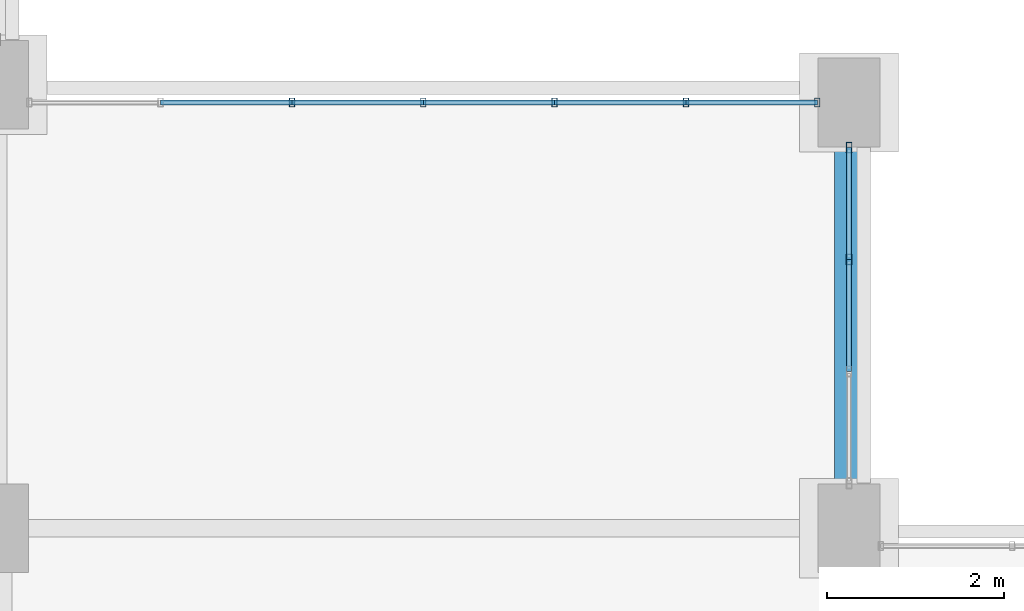
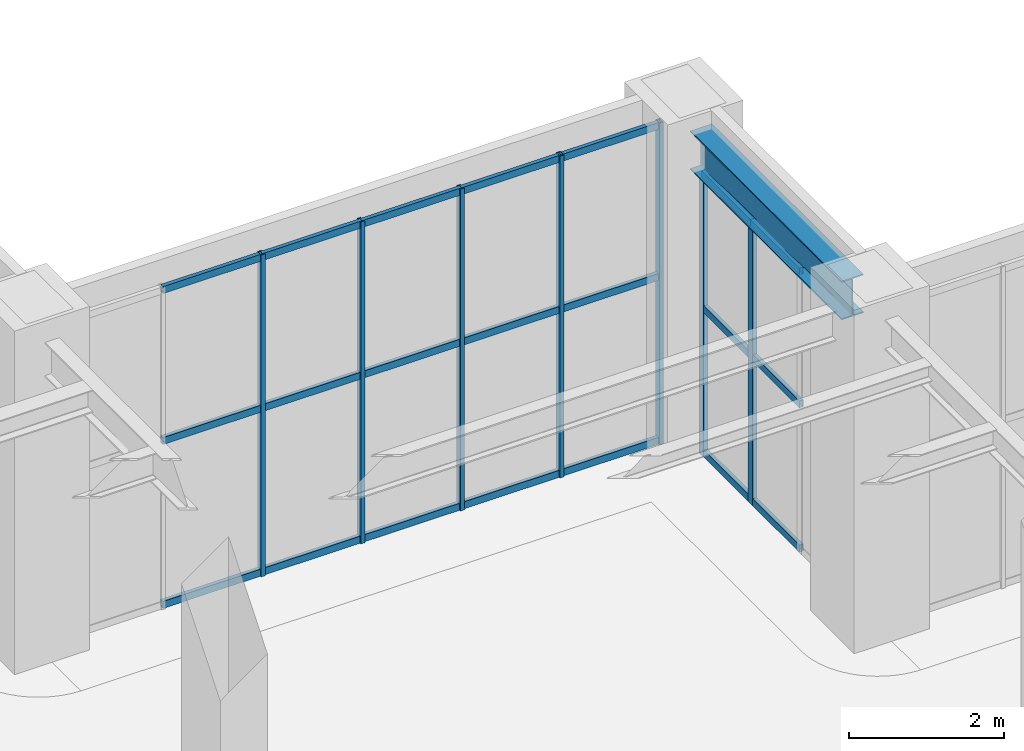
# One storey, part 90 of 164: 28 members, 1 beam, 2 elements without a shape of their own.
"""IFC4 building model written with IfcOpenShell, lengths in metres."""

from ifc_helpers import new_model, si_unit, direction, frame, origin, origin_2d, place, context, subcontext, project, spatial, hollow_rectangle, i_section, extrude, material, material_profile, profile_set, type_object, element, aggregate, save


model = new_model("IFC4")

# Units and contexts
model_context = context("Model", 3, precision=1e-05, world=origin(), true_north=direction((0.0, 1.0)))
body_context = subcontext(model_context, "Body", "Model", "MODEL_VIEW")
ifc_project = project(units=[si_unit("LENGTHUNIT", "METRE"), si_unit("AREAUNIT", "SQUARE_METRE"), si_unit("VOLUMEUNIT", "CUBIC_METRE"), si_unit("PLANEANGLEUNIT", "RADIAN"), si_unit("MASSUNIT", "GRAM", prefix="KILO")], contexts=[model_context])

# Site, building, storey
site_placement = place(None, origin())
site = spatial("IfcSite", under=ifc_project, at=site_placement, CompositionType="ELEMENT")
building_placement = place(site_placement, origin())
building = spatial("IfcBuilding", under=site, at=building_placement, Name="Mavantir Sound Aquarium", CompositionType="ELEMENT")
storey_placement = place(building_placement, origin())
storey = spatial("IfcBuildingStorey", under=building, at=storey_placement, Name="L00", CompositionType="ELEMENT", Elevation=0.0)

# Beam
ifc_material_1 = material(Name="Structural Steel ASTM A992 Gr50", Category="steel")
ifc_material_profile_1 = material_profile(ifc_material_1, i_section(OverallWidth=0.323974609375, OverallDepth=0.611083984375, WebThickness=0.0126953125, FlangeThickness=0.01904296875, FilletRadius=0.01904296875, at=origin_2d()), Name="W610X155")
ifc_profile_set_1 = profile_set([ifc_material_profile_1], Name="Structural Steel ASTM A992 Gr50")
beam_type = type_object("IfcBeamType", Name="BM-W610X155-I", PredefinedType="BEAM", material=ifc_profile_set_1)
beam_placement = place(storey_placement, frame((127.199951171875, 86.25, 4.800537109375), z_axis=(0.0, 1.0, 0.0), x_axis=(-1.0, 0.0, 0.0)))
element("IfcBeam", 1, at=beam_placement, inside=storey, type_object=beam_type, Name="L00 primary girder SB-61A 994", PredefinedType="BEAM", context=body_context, shape_type="SweptSolid", body=[
    extrude(i_section(OverallWidth=0.323974609375, OverallDepth=0.611083984375, WebThickness=0.0126953125, FlangeThickness=0.01904296875, FilletRadius=0.01904296875, at=origin_2d()), origin(), (0.0, 0.0, 1.0), 3.89990234375),
])

# Curtain wall, members
ifc_material_2 = material(Name="Anodised Marine Aluminium and Low-E Glass", Category="aluminium")
curtain_wall_type_1 = type_object("IfcCurtainWallType", Name="CW-T17", PredefinedType="USERDEFINED", material=ifc_material_2)
curtain_wall_1_placement = place(storey_placement, origin())
curtain_wall_1 = element("IfcCurtainWall", 2, at=curtain_wall_1_placement, inside=storey, type_object=curtain_wall_type_1, Name="L00 unitised curtain wall CW-17 17", ObjectType="UNITISED GLAZING", PredefinedType="USERDEFINED")
ifc_material_3 = material(Name="Anodised Marine Aluminium 6063-T6", Category="aluminium")
ifc_material_profile_2 = material_profile(ifc_material_3, hollow_rectangle(XDim=0.06005859375, YDim=0.10009765625, WallThickness=0.00390625, at=origin_2d()), Name="ALU-MULLION-100X60")
ifc_profile_set_2 = profile_set([ifc_material_profile_2], Name="Anodised Marine Aluminium 6063-T6")
member_type_1 = type_object("IfcMemberType", Name="CW-MUL-100", PredefinedType="MULLION", material=ifc_profile_set_2)
member_1_placement = place(storey_placement, frame((126.842041015625, 90.60009765625, 0.0), z_axis=(0.0, 0.0, 1.0), x_axis=(1.0, 0.0, 0.0)))
member_1 = element("IfcMember", 3, at=member_1_placement, type_object=member_type_1, Name="CW-L00-017 vertical mullion 1", PredefinedType="MULLION", context=body_context, shape_type="SweptSolid", body=[
    extrude(hollow_rectangle(XDim=0.06005859375, YDim=0.10009765625, WallThickness=0.00390625, at=origin_2d()), origin(), (0.0, 0.0, 1.0), 5.06005859375),
])
member_2_placement = place(storey_placement, frame((125.361328125, 90.60009765625, 0.0), z_axis=(0.0, 0.0, 1.0), x_axis=(1.0, 0.0, 0.0)))
member_2 = element("IfcMember", 4, at=member_2_placement, type_object=member_type_1, Name="CW-L00-017 vertical mullion 2", PredefinedType="MULLION", context=body_context, shape_type="SweptSolid", body=[
    extrude(hollow_rectangle(XDim=0.06005859375, YDim=0.10009765625, WallThickness=0.00390625, at=origin_2d()), origin(), (0.0, 0.0, 1.0), 5.06005859375),
])
member_3_placement = place(storey_placement, frame((123.880615234375, 90.60009765625, 0.0), z_axis=(0.0, 0.0, 1.0), x_axis=(1.0, 0.0, 0.0)))
member_3 = element("IfcMember", 5, at=member_3_placement, type_object=member_type_1, Name="CW-L00-017 vertical mullion 3", PredefinedType="MULLION", context=body_context, shape_type="SweptSolid", body=[
    extrude(hollow_rectangle(XDim=0.06005859375, YDim=0.10009765625, WallThickness=0.00390625, at=origin_2d()), origin(), (0.0, 0.0, 1.0), 5.06005859375),
])
member_4_placement = place(storey_placement, frame((122.39990234375, 90.60009765625, 0.0), z_axis=(0.0, 0.0, 1.0), x_axis=(1.0, 0.0, 0.0)))
member_4 = element("IfcMember", 6, at=member_4_placement, type_object=member_type_1, Name="CW-L00-017 vertical mullion 4", PredefinedType="MULLION", context=body_context, shape_type="SweptSolid", body=[
    extrude(hollow_rectangle(XDim=0.06005859375, YDim=0.10009765625, WallThickness=0.00390625, at=origin_2d()), origin(), (0.0, 0.0, 1.0), 5.06005859375),
])
member_5_placement = place(storey_placement, frame((120.919189453125, 90.60009765625, 0.0), z_axis=(0.0, 0.0, 1.0), x_axis=(1.0, 0.0, 0.0)))
member_5 = element("IfcMember", 7, at=member_5_placement, type_object=member_type_1, Name="CW-L00-017 vertical mullion 5", PredefinedType="MULLION", context=body_context, shape_type="SweptSolid", body=[
    extrude(hollow_rectangle(XDim=0.06005859375, YDim=0.10009765625, WallThickness=0.00390625, at=origin_2d()), origin(), (0.0, 0.0, 1.0), 5.06005859375),
])

curtain_wall_type_2 = type_object("IfcCurtainWallType", Name="CW-T16", PredefinedType="USERDEFINED", material=ifc_material_2)
curtain_wall_2_placement = place(storey_placement, origin())
curtain_wall_2 = element("IfcCurtainWall", 8, at=curtain_wall_2_placement, inside=storey, type_object=curtain_wall_type_2, Name="L00 unitised curtain wall CW-16 16", ObjectType="UNITISED GLAZING", PredefinedType="USERDEFINED")
ifc_material_profile_3 = material_profile(ifc_material_3, hollow_rectangle(XDim=0.06494140625, YDim=0.1201171875, WallThickness=0.00390625, at=origin_2d()), Name="ALU-MULLION-120X65")
ifc_profile_set_3 = profile_set([ifc_material_profile_3], Name="Anodised Marine Aluminium 6063-T6")
member_type_2 = type_object("IfcMemberType", Name="CW-MUL-120", PredefinedType="MULLION", material=ifc_profile_set_3)
member_6_placement = place(storey_placement, frame((127.199951171875, 88.830810546875, 0.0), z_axis=(0.0, 0.0, 1.0), x_axis=(1.0, 0.0, 0.0)))
member_6 = element("IfcMember", 9, at=member_6_placement, type_object=member_type_2, Name="CW-L00-016 vertical mullion 3", PredefinedType="MULLION", context=body_context, shape_type="SweptSolid", body=[
    extrude(hollow_rectangle(XDim=0.06494140625, YDim=0.1201171875, WallThickness=0.00390625, at=origin_2d()), origin(), (0.0, 0.0, 1.0), 4.465087890625),
])
member_7_placement = place(storey_placement, frame((127.199951171875, 90.092041015625, 0.0), z_axis=(0.0, 0.0, 1.0), x_axis=(1.0, 0.0, 0.0)))
member_7 = element("IfcMember", 10, at=member_7_placement, type_object=member_type_2, Name="CW-L00-016 vertical mullion 4", PredefinedType="MULLION", context=body_context, shape_type="SweptSolid", body=[
    extrude(hollow_rectangle(XDim=0.06494140625, YDim=0.1201171875, WallThickness=0.00390625, at=origin_2d()), origin(), (0.0, 0.0, 1.0), 4.465087890625),
])
ifc_material_profile_4 = material_profile(ifc_material_3, hollow_rectangle(XDim=0.06005859375, YDim=0.110107421875, WallThickness=0.00390625, at=origin_2d()), Name="ALU-TRANSOM-110X60")
ifc_profile_set_4 = profile_set([ifc_material_profile_4], Name="Anodised Marine Aluminium 6063-T6")
member_type_3 = type_object("IfcMemberType", Name="CW-TRN-110", PredefinedType="USERDEFINED", material=ifc_profile_set_4)
member_8_placement = place(storey_placement, frame((127.199951171875, 87.5693359375, 0.054931640625), z_axis=(0.0, 1.0, 0.0), x_axis=(-1.0, 0.0, 0.0)))
member_8 = element("IfcMember", 11, at=member_8_placement, type_object=member_type_3, Name="CW-L00-016 transom 2.1", ObjectType="TRANSOM", PredefinedType="USERDEFINED", context=body_context, shape_type="SweptSolid", body=[
    extrude(hollow_rectangle(XDim=0.06005859375, YDim=0.110107421875, WallThickness=0.00390625, at=origin_2d()), origin(), (0.0, 0.0, 1.0), 1.261474609375),
])
member_9_placement = place(storey_placement, frame((127.199951171875, 87.5693359375, 2.32177734375), z_axis=(0.0, 1.0, 0.0), x_axis=(-1.0, 0.0, 0.0)))
member_9 = element("IfcMember", 12, at=member_9_placement, type_object=member_type_3, Name="CW-L00-016 transom 2.2", ObjectType="TRANSOM", PredefinedType="USERDEFINED", context=body_context, shape_type="SweptSolid", body=[
    extrude(hollow_rectangle(XDim=0.06005859375, YDim=0.110107421875, WallThickness=0.00390625, at=origin_2d()), origin(), (0.0, 0.0, 1.0), 1.261474609375),
])
member_10_placement = place(storey_placement, frame((127.199951171875, 87.5693359375, 4.409912109375), z_axis=(0.0, 1.0, 0.0), x_axis=(-1.0, 0.0, 0.0)))
member_10 = element("IfcMember", 13, at=member_10_placement, type_object=member_type_3, Name="CW-L00-016 transom 2.3", ObjectType="TRANSOM", PredefinedType="USERDEFINED", context=body_context, shape_type="SweptSolid", body=[
    extrude(hollow_rectangle(XDim=0.06005859375, YDim=0.110107421875, WallThickness=0.00390625, at=origin_2d()), origin(), (0.0, 0.0, 1.0), 1.261474609375),
])
member_11_placement = place(storey_placement, frame((127.199951171875, 88.830810546875, 0.054931640625), z_axis=(0.0, 1.0, 0.0), x_axis=(-1.0, 0.0, 0.0)))
member_11 = element("IfcMember", 14, at=member_11_placement, type_object=member_type_3, Name="CW-L00-016 transom 3.1", ObjectType="TRANSOM", PredefinedType="USERDEFINED", context=body_context, shape_type="SweptSolid", body=[
    extrude(hollow_rectangle(XDim=0.06005859375, YDim=0.110107421875, WallThickness=0.00390625, at=origin_2d()), origin(), (0.0, 0.0, 1.0), 1.26123046875),
])
member_12_placement = place(storey_placement, frame((127.199951171875, 88.830810546875, 2.32177734375), z_axis=(0.0, 1.0, 0.0), x_axis=(-1.0, 0.0, 0.0)))
member_12 = element("IfcMember", 15, at=member_12_placement, type_object=member_type_3, Name="CW-L00-016 transom 3.2", ObjectType="TRANSOM", PredefinedType="USERDEFINED", context=body_context, shape_type="SweptSolid", body=[
    extrude(hollow_rectangle(XDim=0.06005859375, YDim=0.110107421875, WallThickness=0.00390625, at=origin_2d()), origin(), (0.0, 0.0, 1.0), 1.26123046875),
])
member_13_placement = place(storey_placement, frame((127.199951171875, 88.830810546875, 4.409912109375), z_axis=(0.0, 1.0, 0.0), x_axis=(-1.0, 0.0, 0.0)))
member_13 = element("IfcMember", 16, at=member_13_placement, type_object=member_type_3, Name="CW-L00-016 transom 3.3", ObjectType="TRANSOM", PredefinedType="USERDEFINED", context=body_context, shape_type="SweptSolid", body=[
    extrude(hollow_rectangle(XDim=0.06005859375, YDim=0.110107421875, WallThickness=0.00390625, at=origin_2d()), origin(), (0.0, 0.0, 1.0), 1.26123046875),
])
aggregate(curtain_wall_2, [member_6, member_7, member_8, member_9, member_10, member_11, member_12, member_13])

# Member
member_14_placement = place(storey_placement, frame((126.842041015625, 90.60009765625, 0.054931640625), z_axis=(-1.0, 0.0, 0.0), x_axis=(0.0, -1.0, 0.0)))
member_14 = element("IfcMember", 17, at=member_14_placement, type_object=member_type_3, Name="CW-L00-017 transom 1.1", ObjectType="TRANSOM", PredefinedType="USERDEFINED", context=body_context, shape_type="SweptSolid", body=[
    extrude(hollow_rectangle(XDim=0.06005859375, YDim=0.110107421875, WallThickness=0.00390625, at=origin_2d()), origin(), (0.0, 0.0, 1.0), 1.480712890625),
])

member_15_placement = place(storey_placement, frame((126.842041015625, 90.60009765625, 2.631103515625), z_axis=(-1.0, 0.0, 0.0), x_axis=(0.0, -1.0, 0.0)))
member_15 = element("IfcMember", 18, at=member_15_placement, type_object=member_type_3, Name="CW-L00-017 transom 1.2", ObjectType="TRANSOM", PredefinedType="USERDEFINED", context=body_context, shape_type="SweptSolid", body=[
    extrude(hollow_rectangle(XDim=0.06005859375, YDim=0.110107421875, WallThickness=0.00390625, at=origin_2d()), origin(), (0.0, 0.0, 1.0), 1.480712890625),
])

member_16_placement = place(storey_placement, frame((126.842041015625, 90.60009765625, 5.0048828125), z_axis=(-1.0, 0.0, 0.0), x_axis=(0.0, -1.0, 0.0)))
member_16 = element("IfcMember", 19, at=member_16_placement, type_object=member_type_3, Name="CW-L00-017 transom 1.3", ObjectType="TRANSOM", PredefinedType="USERDEFINED", context=body_context, shape_type="SweptSolid", body=[
    extrude(hollow_rectangle(XDim=0.06005859375, YDim=0.110107421875, WallThickness=0.00390625, at=origin_2d()), origin(), (0.0, 0.0, 1.0), 1.480712890625),
])

member_17_placement = place(storey_placement, frame((125.361328125, 90.60009765625, 0.054931640625), z_axis=(-1.0, 0.0, 0.0), x_axis=(0.0, -1.0, 0.0)))
member_17 = element("IfcMember", 20, at=member_17_placement, type_object=member_type_3, Name="CW-L00-017 transom 2.1", ObjectType="TRANSOM", PredefinedType="USERDEFINED", context=body_context, shape_type="SweptSolid", body=[
    extrude(hollow_rectangle(XDim=0.06005859375, YDim=0.110107421875, WallThickness=0.00390625, at=origin_2d()), origin(), (0.0, 0.0, 1.0), 1.480712890625),
])

member_18_placement = place(storey_placement, frame((125.361328125, 90.60009765625, 2.631103515625), z_axis=(-1.0, 0.0, 0.0), x_axis=(0.0, -1.0, 0.0)))
member_18 = element("IfcMember", 21, at=member_18_placement, type_object=member_type_3, Name="CW-L00-017 transom 2.2", ObjectType="TRANSOM", PredefinedType="USERDEFINED", context=body_context, shape_type="SweptSolid", body=[
    extrude(hollow_rectangle(XDim=0.06005859375, YDim=0.110107421875, WallThickness=0.00390625, at=origin_2d()), origin(), (0.0, 0.0, 1.0), 1.480712890625),
])

member_19_placement = place(storey_placement, frame((125.361328125, 90.60009765625, 5.0048828125), z_axis=(-1.0, 0.0, 0.0), x_axis=(0.0, -1.0, 0.0)))
member_19 = element("IfcMember", 22, at=member_19_placement, type_object=member_type_3, Name="CW-L00-017 transom 2.3", ObjectType="TRANSOM", PredefinedType="USERDEFINED", context=body_context, shape_type="SweptSolid", body=[
    extrude(hollow_rectangle(XDim=0.06005859375, YDim=0.110107421875, WallThickness=0.00390625, at=origin_2d()), origin(), (0.0, 0.0, 1.0), 1.480712890625),
])

member_20_placement = place(storey_placement, frame((123.880615234375, 90.60009765625, 0.054931640625), z_axis=(-1.0, 0.0, 0.0), x_axis=(0.0, -1.0, 0.0)))
member_20 = element("IfcMember", 23, at=member_20_placement, type_object=member_type_3, Name="CW-L00-017 transom 3.1", ObjectType="TRANSOM", PredefinedType="USERDEFINED", context=body_context, shape_type="SweptSolid", body=[
    extrude(hollow_rectangle(XDim=0.06005859375, YDim=0.110107421875, WallThickness=0.00390625, at=origin_2d()), origin(), (0.0, 0.0, 1.0), 1.480712890625),
])

member_21_placement = place(storey_placement, frame((123.880615234375, 90.60009765625, 2.631103515625), z_axis=(-1.0, 0.0, 0.0), x_axis=(0.0, -1.0, 0.0)))
member_21 = element("IfcMember", 24, at=member_21_placement, type_object=member_type_3, Name="CW-L00-017 transom 3.2", ObjectType="TRANSOM", PredefinedType="USERDEFINED", context=body_context, shape_type="SweptSolid", body=[
    extrude(hollow_rectangle(XDim=0.06005859375, YDim=0.110107421875, WallThickness=0.00390625, at=origin_2d()), origin(), (0.0, 0.0, 1.0), 1.480712890625),
])

member_22_placement = place(storey_placement, frame((123.880615234375, 90.60009765625, 5.0048828125), z_axis=(-1.0, 0.0, 0.0), x_axis=(0.0, -1.0, 0.0)))
member_22 = element("IfcMember", 25, at=member_22_placement, type_object=member_type_3, Name="CW-L00-017 transom 3.3", ObjectType="TRANSOM", PredefinedType="USERDEFINED", context=body_context, shape_type="SweptSolid", body=[
    extrude(hollow_rectangle(XDim=0.06005859375, YDim=0.110107421875, WallThickness=0.00390625, at=origin_2d()), origin(), (0.0, 0.0, 1.0), 1.480712890625),
])

member_23_placement = place(storey_placement, frame((122.39990234375, 90.60009765625, 0.054931640625), z_axis=(-1.0, 0.0, 0.0), x_axis=(0.0, -1.0, 0.0)))
member_23 = element("IfcMember", 26, at=member_23_placement, type_object=member_type_3, Name="CW-L00-017 transom 4.1", ObjectType="TRANSOM", PredefinedType="USERDEFINED", context=body_context, shape_type="SweptSolid", body=[
    extrude(hollow_rectangle(XDim=0.06005859375, YDim=0.110107421875, WallThickness=0.00390625, at=origin_2d()), origin(), (0.0, 0.0, 1.0), 1.480712890625),
])

member_24_placement = place(storey_placement, frame((122.39990234375, 90.60009765625, 2.631103515625), z_axis=(-1.0, 0.0, 0.0), x_axis=(0.0, -1.0, 0.0)))
member_24 = element("IfcMember", 27, at=member_24_placement, type_object=member_type_3, Name="CW-L00-017 transom 4.2", ObjectType="TRANSOM", PredefinedType="USERDEFINED", context=body_context, shape_type="SweptSolid", body=[
    extrude(hollow_rectangle(XDim=0.06005859375, YDim=0.110107421875, WallThickness=0.00390625, at=origin_2d()), origin(), (0.0, 0.0, 1.0), 1.480712890625),
])

member_25_placement = place(storey_placement, frame((122.39990234375, 90.60009765625, 5.0048828125), z_axis=(-1.0, 0.0, 0.0), x_axis=(0.0, -1.0, 0.0)))
member_25 = element("IfcMember", 28, at=member_25_placement, type_object=member_type_3, Name="CW-L00-017 transom 4.3", ObjectType="TRANSOM", PredefinedType="USERDEFINED", context=body_context, shape_type="SweptSolid", body=[
    extrude(hollow_rectangle(XDim=0.06005859375, YDim=0.110107421875, WallThickness=0.00390625, at=origin_2d()), origin(), (0.0, 0.0, 1.0), 1.480712890625),
])

member_26_placement = place(storey_placement, frame((120.919189453125, 90.60009765625, 0.054931640625), z_axis=(-1.0, 0.0, 0.0), x_axis=(0.0, -1.0, 0.0)))
member_26 = element("IfcMember", 29, at=member_26_placement, type_object=member_type_3, Name="CW-L00-017 transom 5.1", ObjectType="TRANSOM", PredefinedType="USERDEFINED", context=body_context, shape_type="SweptSolid", body=[
    extrude(hollow_rectangle(XDim=0.06005859375, YDim=0.110107421875, WallThickness=0.00390625, at=origin_2d()), origin(), (0.0, 0.0, 1.0), 1.48046875),
])

member_27_placement = place(storey_placement, frame((120.919189453125, 90.60009765625, 2.631103515625), z_axis=(-1.0, 0.0, 0.0), x_axis=(0.0, -1.0, 0.0)))
member_27 = element("IfcMember", 30, at=member_27_placement, type_object=member_type_3, Name="CW-L00-017 transom 5.2", ObjectType="TRANSOM", PredefinedType="USERDEFINED", context=body_context, shape_type="SweptSolid", body=[
    extrude(hollow_rectangle(XDim=0.06005859375, YDim=0.110107421875, WallThickness=0.00390625, at=origin_2d()), origin(), (0.0, 0.0, 1.0), 1.48046875),
])

member_28_placement = place(storey_placement, frame((120.919189453125, 90.60009765625, 5.0048828125), z_axis=(-1.0, 0.0, 0.0), x_axis=(0.0, -1.0, 0.0)))
member_28 = element("IfcMember", 31, at=member_28_placement, type_object=member_type_3, Name="CW-L00-017 transom 5.3", ObjectType="TRANSOM", PredefinedType="USERDEFINED", context=body_context, shape_type="SweptSolid", body=[
    extrude(hollow_rectangle(XDim=0.06005859375, YDim=0.110107421875, WallThickness=0.00390625, at=origin_2d()), origin(), (0.0, 0.0, 1.0), 1.48046875),
])

aggregate(curtain_wall_1, [member_1, member_2, member_3, member_4, member_5, member_14, member_15, member_16, member_17, member_18, member_19, member_20, member_21, member_22, member_23, member_24, member_25, member_26, member_27, member_28])

save(model, "model.ifc")
